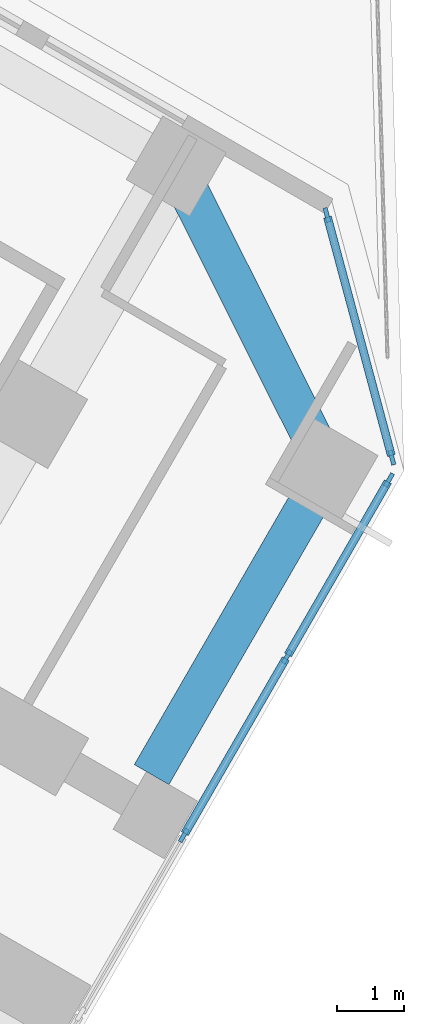
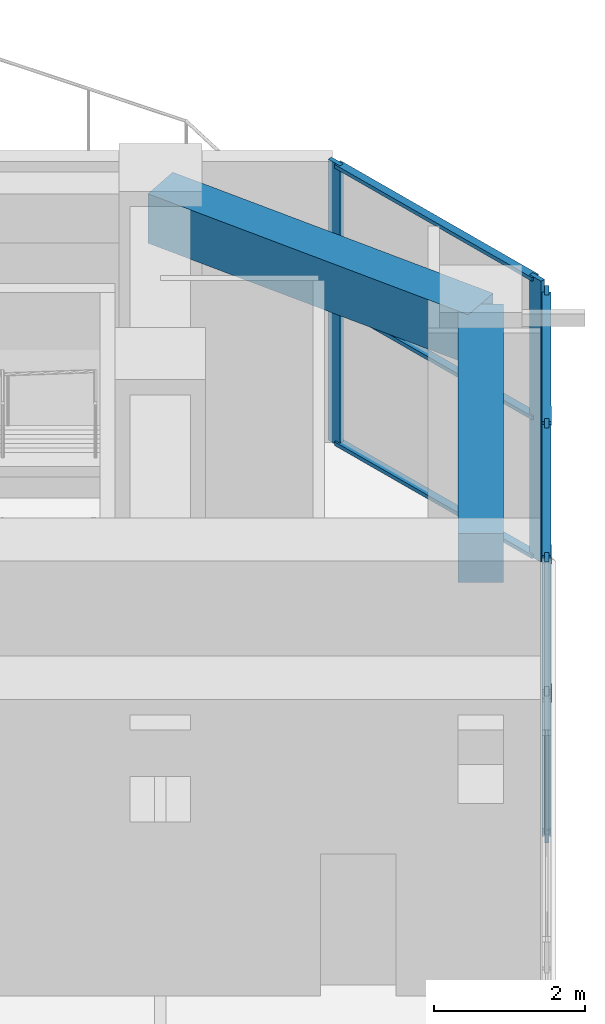
# One storey, part 7 of 18: 14 members, 2 beams, 2 elements without a shape of their own.
"""IFC4 building model written with IfcOpenShell, lengths in metres."""

import ifcopenshell
import ifcopenshell.guid

model = None  # the IFC model being written
_history = None  # IfcOwnerHistory: only IFC2X3 demands one
_inside = {}  # id of a spatial element -> (the spatial element, [elements in it])
_under = {}  # id of a project, library or spatial element -> (it, [spatial elements below it])
_declared = {}  # id of a project -> (the project, [libraries it declares])
_typed = {}  # id of a type object -> (the type object, [elements of that type])
_made_of = {}  # id of a material, layer set ... -> (it, [elements and type objects made of it])


def new_model(schema):
    """Start an empty IFC model of exactly this schema.

    Asked for "IFC4X3", IfcOpenShell would pick the latest addendum, in which some entities
    have other attributes; the version numbers below select the first issue.
    IFC2X3 requires an IfcOwnerHistory on every rooted entity: one is made here for all.
    """
    global model, _history
    if schema == "IFC4X3":
        model = ifcopenshell.file(schema_version=(4, 3, 0, 0))
    else:
        model = ifcopenshell.file(schema=schema)
    _inside.clear()
    _under.clear()
    _declared.clear()
    _typed.clear()
    _made_of.clear()
    _history = None
    if model.schema == "IFC2X3":
        org = make("IfcOrganization", Name="unknown")
        user = make(
            "IfcPersonAndOrganization",
            ThePerson=make("IfcPerson", FamilyName="unknown"),
            TheOrganization=org,
        )
        app = make(
            "IfcApplication",
            ApplicationDeveloper=org,
            Version="unknown",
            ApplicationFullName="unknown",
            ApplicationIdentifier="unknown",
        )
        _history = make(
            "IfcOwnerHistory",
            OwningUser=user,
            OwningApplication=app,
            ChangeAction="ADDED",
            CreationDate=0,
        )
    return model


def make(cls, **values):
    """One entity of the class cls with the attributes given. An attribute that is None is left unset."""
    return model.create_entity(
        cls, **{name: value for name, value in values.items() if value is not None}
    )


def rooted(cls, **values):
    """An entity with a GlobalId (a new one), such as an element, a storey or a relation."""
    return make(cls, GlobalId=ifcopenshell.guid.new(), OwnerHistory=_history, **values)


def si_unit(unit_type, name, prefix=None):
    """IfcSIUnit, for example si_unit("LENGTHUNIT", "METRE", prefix="MILLI")."""
    return make("IfcSIUnit", UnitType=unit_type, Prefix=prefix, Name=name)


def assignment(units):
    """IfcUnitAssignment: the units of a project."""
    return None if units is None else make("IfcUnitAssignment", Units=units)


def point(xyz):
    """IfcCartesianPoint."""
    return None if xyz is None else make("IfcCartesianPoint", Coordinates=xyz)


def direction(xyz):
    """IfcDirection."""
    return None if xyz is None else make("IfcDirection", DirectionRatios=xyz)


def frame(location, z_axis=None, x_axis=None):
    """IfcAxis2Placement3D, a coordinate frame: its origin and axes. An axis left out is left unset."""
    return make(
        "IfcAxis2Placement3D",
        Location=point(location),
        Axis=direction(z_axis),
        RefDirection=direction(x_axis),
    )


def frame_2d(location, x_axis=None):
    """IfcAxis2Placement2D, a coordinate frame in the plane: its origin and x axis."""
    return make(
        "IfcAxis2Placement2D", Location=point(location), RefDirection=direction(x_axis)
    )


def origin():
    """The frame at (0, 0, 0) with its axes left unset."""
    return frame((0.0, 0.0, 0.0))


def origin_2d():
    """The frame at (0, 0) in the plane with its x axis left unset."""
    return frame_2d((0.0, 0.0))


def place(relative_to, where):
    """IfcLocalPlacement: puts the frame where relative to a parent placement (None: the world)."""
    return make(
        "IfcLocalPlacement", PlacementRelTo=relative_to, RelativePlacement=where
    )


def context(
    kind, dimensions, precision=None, world=None, true_north=None, identifier=None
):
    """IfcGeometricRepresentationContext, for example the 3D "Model" context."""
    return make(
        "IfcGeometricRepresentationContext",
        ContextIdentifier=identifier,
        ContextType=kind,
        CoordinateSpaceDimension=dimensions,
        Precision=precision,
        WorldCoordinateSystem=world,
        TrueNorth=true_north,
    )


def subcontext(parent, identifier, kind, view, scale=None):
    """IfcGeometricRepresentationSubContext, for example "Body" below "Model"."""
    return make(
        "IfcGeometricRepresentationSubContext",
        ContextIdentifier=identifier,
        ContextType=kind,
        ParentContext=parent,
        TargetScale=scale,
        TargetView=view,
    )


def project(units=None, contexts=None):
    """IfcProject with its units and contexts."""
    return rooted(
        "IfcProject",
        Name="project",
        RepresentationContexts=contexts,
        UnitsInContext=assignment(units),
    )


def spatial(cls, under=None, at=None, **own):
    """A site, building, storey or space (cls), placed at a placement, below another one or the project."""
    s = rooted(cls, ObjectPlacement=at, **own)
    if under is not None:
        _under.setdefault(under.id(), (under, []))[1].append(s)
    return s


def profile(cls, at=None, kind="AREA", **sizes):
    """A parametric profile (cls). Its sizes go by their IFC names, for example OverallWidth=200.0."""
    return make(cls, ProfileType=kind, Position=at, **sizes)


def rectangle(**sizes):
    """IfcRectangleProfileDef."""
    return profile("IfcRectangleProfileDef", **sizes)


def extrude(swept, where, along, depth):
    """IfcExtrudedAreaSolid: the profile swept, set in the frame where, extruded along a direction by depth."""
    return make(
        "IfcExtrudedAreaSolid",
        SweptArea=swept,
        Position=where,
        ExtrudedDirection=direction(along),
        Depth=depth,
    )


def shape(context_of_items, identifier, shape_type, items):
    """IfcShapeRepresentation: the items that make up one representation, for example the "Body"."""
    return make(
        "IfcShapeRepresentation",
        ContextOfItems=context_of_items,
        RepresentationIdentifier=identifier,
        RepresentationType=shape_type,
        Items=items,
    )


def material(Name=None, Category=None):
    """IfcMaterial."""
    return make("IfcMaterial", Name=Name, Category=Category)


def material_profile(
    of_material, cross_section, Name=None, Category=None, Priority=None
):
    """IfcMaterialProfile: a cross section and its material."""
    return make(
        "IfcMaterialProfile",
        Name=Name,
        Material=of_material,
        Profile=cross_section,
        Priority=Priority,
        Category=Category,
    )


def profile_set(profiles, Name=None, composite=None):
    """IfcMaterialProfileSet."""
    return make(
        "IfcMaterialProfileSet",
        Name=Name,
        MaterialProfiles=profiles,
        CompositeProfile=composite,
    )


def made_of(thing, what):
    """Note that an element or type object is made of a material, layer set ...; save() writes the relation."""
    if what is not None:
        _made_of.setdefault(what.id(), (what, []))[1].append(thing)
    return thing


def type_object(cls, material=None, **own):
    """A type object (cls), such as IfcWallType, which elements share."""
    return made_of(rooted(cls, **own), material)


def element(
    cls,
    number,
    at=None,
    inside=None,
    cuts=None,
    type_object=None,
    material=None,
    context=None,
    identifier="Body",
    shape_type=None,
    held_by="IfcProductDefinitionShape",
    body=None,
    shapes=None,
    **own,
):
    """One element of the class cls, such as IfcWall. Its Tag is "e" and its number.

    at: its placement. inside: the storey or other place that contains it. cuts: it is an
    opening in that element (IfcRelVoidsElement). A single representation is given by context,
    identifier, shape_type and body (its items); several are given by shapes. held_by: the class
    of the entity that holds the representations. save() writes the other relations.
    """
    e = rooted(cls, Tag="e%d" % number, ObjectPlacement=at, **own)
    if body is not None:
        shapes = [shape(context, identifier, shape_type, body)]
    if shapes is not None:
        e.Representation = make(held_by, Representations=shapes)
    if inside is not None:
        _inside.setdefault(inside.id(), (inside, []))[1].append(e)
    if cuts is not None:
        rooted(
            "IfcRelVoidsElement", RelatingBuildingElement=cuts, RelatedOpeningElement=e
        )
    if type_object is not None:
        _typed.setdefault(type_object.id(), (type_object, []))[1].append(e)
    return made_of(e, material)


def aggregate(whole, parts):
    """IfcRelAggregates: a whole, such as a stair, and the parts it consists of."""
    return rooted("IfcRelAggregates", RelatingObject=whole, RelatedObjects=parts)


def save(model, path):
    """Write the relations noted so far, then the file.

    IfcRelAggregates (storeys below a building ...), IfcRelContainedInSpatialStructure (elements
    in a storey), IfcRelDefinesByType, IfcRelAssociatesMaterial and IfcRelDeclares: one each for
    every whole, place, type object, material and project.
    """
    for whole, parts in _under.values():
        aggregate(whole, parts)
    for where, things in _inside.values():
        rooted(
            "IfcRelContainedInSpatialStructure",
            RelatedElements=things,
            RelatingStructure=where,
        )
    for kind, things in _typed.values():
        rooted("IfcRelDefinesByType", RelatedObjects=things, RelatingType=kind)
    for what, things in _made_of.values():
        rooted("IfcRelAssociatesMaterial", RelatedObjects=things, RelatingMaterial=what)
    for by, libraries in _declared.values():
        rooted("IfcRelDeclares", RelatingContext=by, RelatedDefinitions=libraries)
    model.write(path)


model = new_model("IFC4")

# Units and contexts
model_context = context("Model", 3, precision=1e-05, world=origin(), true_north=direction((0.0, 1.0)))
body_context = subcontext(model_context, "Body", "Model", "MODEL_VIEW")
ifc_project = project(units=[si_unit("LENGTHUNIT", "METRE"), si_unit("AREAUNIT", "SQUARE_METRE"), si_unit("VOLUMEUNIT", "CUBIC_METRE"), si_unit("PLANEANGLEUNIT", "RADIAN"), si_unit("MASSUNIT", "GRAM", prefix="KILO")], contexts=[model_context])

# Site, building, storey
site_placement = place(None, origin())
site = spatial("IfcSite", under=ifc_project, at=site_placement, CompositionType="ELEMENT")
building_placement = place(site_placement, origin())
building = spatial("IfcBuilding", under=site, at=building_placement, Name="Kosmar Iwan School Tower", CompositionType="ELEMENT")
storey_placement = place(building_placement, frame((0.0, 0.0, 20.39990234375)))
storey = spatial("IfcBuildingStorey", under=building, at=storey_placement, Name="L04", CompositionType="ELEMENT", Elevation=20.39990234375)

# Curtain wall, members
ifc_material_1 = material(Name="Dark glass in black aluminium frame", Category="aluminium")
curtain_wall_type_1 = type_object("IfcCurtainWallType", Name="Tower curtain wall dark glass", PredefinedType="USERDEFINED", material=ifc_material_1)
curtain_wall_1_placement = place(storey_placement, origin())
curtain_wall_1 = element("IfcCurtainWall", 1, at=curtain_wall_1_placement, inside=storey, type_object=curtain_wall_type_1, Name="Curtain wall L04-F03", ObjectType="UNITISED CURTAIN WALL", PredefinedType="USERDEFINED")
ifc_material_2 = material(Name="Black anodised aluminium", Category="aluminium")
ifc_material_profile_1 = material_profile(ifc_material_2, rectangle(XDim=0.06494140625, YDim=0.219970703125, at=origin_2d()), Name="MULLION 65x220")
ifc_profile_set_1 = profile_set([ifc_material_profile_1], Name="Black anodised aluminium")
member_type_1 = type_object("IfcMemberType", Name="Podium mullion 65x220", PredefinedType="MULLION", material=ifc_profile_set_1)
member_1_placement = place(storey_placement, frame((30.631103515625, -15.8955078125, 0.0), z_axis=(0.0, 0.0, 1.0), x_axis=(-0.866025405329, 0.499999997325, 0.0)))
member_1 = element("IfcMember", 2, at=member_1_placement, type_object=member_type_1, Name="CW1 mullion 4", PredefinedType="MULLION", context=body_context, shape_type="SweptSolid", body=[
    extrude(rectangle(XDim=0.06494140625, YDim=0.219970703125, at=origin_2d()), origin(), (0.0, 0.0, 1.0), 4.550048828125),
])
member_2_placement = place(storey_placement, frame((32.1806640625, -13.21142578125, 0.0), z_axis=(0.0, 0.0, 1.0), x_axis=(-0.866025405329, 0.499999997325, 0.0)))
member_2 = element("IfcMember", 3, at=member_2_placement, type_object=member_type_1, Name="CW1 mullion 5", PredefinedType="MULLION", context=body_context, shape_type="SweptSolid", body=[
    extrude(rectangle(XDim=0.06494140625, YDim=0.219970703125, at=origin_2d()), origin(), (0.0, 0.0, 1.0), 4.550048828125),
])
member_3_placement = place(storey_placement, frame((33.714111328125, -10.555419921875, 0.0), z_axis=(0.0, 0.0, 1.0), x_axis=(-0.866025405329, 0.499999997325, 0.0)))
member_3 = element("IfcMember", 4, at=member_3_placement, type_object=member_type_1, Name="CW1 mullion 6", PredefinedType="MULLION", context=body_context, shape_type="SweptSolid", body=[
    extrude(rectangle(XDim=0.06494140625, YDim=0.219970703125, at=origin_2d()), origin(), (0.0, 0.0, 1.0), 4.550048828125),
])

ifc_material_3 = material(Name="Dark glass in black aluminium frame", Category="aluminium")
curtain_wall_type_2 = type_object("IfcCurtainWallType", Name="Chamfer curtain wall dark glass", PredefinedType="USERDEFINED", material=ifc_material_3)
curtain_wall_2_placement = place(storey_placement, origin())
curtain_wall_2 = element("IfcCurtainWall", 5, at=curtain_wall_2_placement, inside=storey, type_object=curtain_wall_type_2, Name="Curtain wall L04-F04", ObjectType="FACETED CURTAIN WALL", PredefinedType="USERDEFINED")
member_4_placement = place(storey_placement, frame((33.758056640625, -10.22119140625, 0.0), z_axis=(0.0, 0.0, 1.0), x_axis=(-0.965925875495, -0.258818861462, 0.0)))
member_4 = element("IfcMember", 6, at=member_4_placement, type_object=member_type_1, Name="CW2 mullion 1", PredefinedType="MULLION", context=body_context, shape_type="SweptSolid", body=[
    extrude(rectangle(XDim=0.06494140625, YDim=0.219970703125, at=origin_2d()), origin(), (0.0, 0.0, 1.0), 4.550048828125),
])
member_5_placement = place(storey_placement, frame((32.78125, -6.57568359375, 0.0), z_axis=(0.0, 0.0, 1.0), x_axis=(-0.965925875495, -0.258818861462, 0.0)))
member_5 = element("IfcMember", 7, at=member_5_placement, type_object=member_type_1, Name="CW2 mullion 2", PredefinedType="MULLION", context=body_context, shape_type="SweptSolid", body=[
    extrude(rectangle(XDim=0.06494140625, YDim=0.219970703125, at=origin_2d()), origin(), (0.0, 0.0, 1.0), 4.550048828125),
])

# Beams
ifc_material_4 = material(Name="Concrete C50/60", Category="concrete")
ifc_material_profile_2 = material_profile(ifc_material_4, rectangle(XDim=0.60009765625, YDim=0.800048828125, at=origin_2d()), Name="RC 600x800")
ifc_profile_set_2 = profile_set([ifc_material_profile_2], Name="Concrete C50/60")
beam_type = type_object("IfcBeamType", Name="RC tip beam 600x800", PredefinedType="BEAM", material=ifc_profile_set_2)
beam_1_placement = place(storey_placement, frame((30.517822265625, -5.841552734375, 4.150146484375), z_axis=(0.44809604203, -0.893985423325, 0.0), x_axis=(0.893985423325, 0.44809604203, 0.0)))
element("IfcBeam", 8, at=beam_1_placement, inside=storey, type_object=beam_type, Name="Tip beam CL", PredefinedType="BEAM", context=body_context, shape_type="SweptSolid", body=[
    extrude(rectangle(XDim=0.60009765625, YDim=0.800048828125, at=origin_2d()), origin(), (0.0, 0.0, 1.0), 5.08935546875),
])
beam_2_placement = place(storey_placement, frame((32.79833984375, -10.391357421875, 4.150146484375), z_axis=(-0.499973660256, -0.866040610509, 0.0), x_axis=(0.866040610509, -0.499973660256, 0.0)))
element("IfcBeam", 9, at=beam_2_placement, inside=storey, type_object=beam_type, Name="Tip beam CL to corridor wall", PredefinedType="BEAM", context=body_context, shape_type="SweptSolid", body=[
    extrude(rectangle(XDim=0.60009765625, YDim=0.800048828125, at=origin_2d()), origin(), (0.0, 0.0, 1.0), 5.300048828125),
])

# Member
ifc_material_5 = material(Name="Black anodised aluminium", Category="aluminium")
ifc_material_profile_3 = material_profile(ifc_material_5, rectangle(XDim=0.1201171875, YDim=0.06005859375, at=origin_2d()), Name="TRANSOM 60x120")
ifc_profile_set_3 = profile_set([ifc_material_profile_3], Name="Black anodised aluminium")
member_type_2 = type_object("IfcMemberType", Name="Transom 60x120", PredefinedType="USERDEFINED", material=ifc_profile_set_3)
member_6_placement = place(storey_placement, frame((30.647216796875, -15.867431640625, 0.030029296875), z_axis=(0.500024238858, 0.866011409021, 0.0), x_axis=(-0.866011409021, 0.500024238858, 0.0)))
member_6 = element("IfcMember", 10, at=member_6_placement, type_object=member_type_2, Name="CW1 transom 4.1", ObjectType="TRANSOM", PredefinedType="USERDEFINED", context=body_context, shape_type="SweptSolid", body=[
    extrude(rectangle(XDim=0.1201171875, YDim=0.06005859375, at=origin_2d()), origin(), (0.0, 0.0, 1.0), 3.034423828125),
])

member_7_placement = place(storey_placement, frame((30.647216796875, -15.867431640625, 2.275146484375), z_axis=(0.500024238858, 0.866011409021, 0.0), x_axis=(-0.866011409021, 0.500024238858, 0.0)))
member_7 = element("IfcMember", 11, at=member_7_placement, type_object=member_type_2, Name="CW1 transom 4.2", ObjectType="TRANSOM", PredefinedType="USERDEFINED", context=body_context, shape_type="SweptSolid", body=[
    extrude(rectangle(XDim=0.1201171875, YDim=0.06005859375, at=origin_2d()), origin(), (0.0, 0.0, 1.0), 3.034423828125),
])

member_8_placement = place(storey_placement, frame((30.647216796875, -15.867431640625, 4.52001953125), z_axis=(0.500024238858, 0.866011409021, 0.0), x_axis=(-0.866011409021, 0.500024238858, 0.0)))
member_8 = element("IfcMember", 12, at=member_8_placement, type_object=member_type_2, Name="CW1 transom 4.3", ObjectType="TRANSOM", PredefinedType="USERDEFINED", context=body_context, shape_type="SweptSolid", body=[
    extrude(rectangle(XDim=0.1201171875, YDim=0.06005859375, at=origin_2d()), origin(), (0.0, 0.0, 1.0), 3.034423828125),
])

member_9_placement = place(storey_placement, frame((32.197021484375, -13.183349609375, 0.030029296875), z_axis=(0.499961833423, 0.866047438147, 0.0), x_axis=(-0.866047438147, 0.499961833423, 0.0)))
member_9 = element("IfcMember", 13, at=member_9_placement, type_object=member_type_2, Name="CW1 transom 5.1", ObjectType="TRANSOM", PredefinedType="USERDEFINED", context=body_context, shape_type="SweptSolid", body=[
    extrude(rectangle(XDim=0.1201171875, YDim=0.06005859375, at=origin_2d()), origin(), (0.0, 0.0, 1.0), 3.001708984375),
])

member_10_placement = place(storey_placement, frame((32.197021484375, -13.183349609375, 2.275146484375), z_axis=(0.499961833423, 0.866047438147, 0.0), x_axis=(-0.866047438147, 0.499961833423, 0.0)))
member_10 = element("IfcMember", 14, at=member_10_placement, type_object=member_type_2, Name="CW1 transom 5.2", ObjectType="TRANSOM", PredefinedType="USERDEFINED", context=body_context, shape_type="SweptSolid", body=[
    extrude(rectangle(XDim=0.1201171875, YDim=0.06005859375, at=origin_2d()), origin(), (0.0, 0.0, 1.0), 3.001708984375),
])

member_11_placement = place(storey_placement, frame((32.197021484375, -13.183349609375, 4.52001953125), z_axis=(0.499961833423, 0.866047438147, 0.0), x_axis=(-0.866047438147, 0.499961833423, 0.0)))
member_11 = element("IfcMember", 15, at=member_11_placement, type_object=member_type_2, Name="CW1 transom 5.3", ObjectType="TRANSOM", PredefinedType="USERDEFINED", context=body_context, shape_type="SweptSolid", body=[
    extrude(rectangle(XDim=0.1201171875, YDim=0.06005859375, at=origin_2d()), origin(), (0.0, 0.0, 1.0), 3.001708984375),
])

aggregate(curtain_wall_1, [member_1, member_2, member_3, member_6, member_7, member_8, member_9, member_10, member_11])

member_12_placement = place(storey_placement, frame((33.749755859375, -10.189697265625, 0.030029296875), z_axis=(-0.258826018906, 0.965923957637, 0.0), x_axis=(-0.965923957637, -0.258826018906, 0.0)))
member_12 = element("IfcMember", 16, at=member_12_placement, type_object=member_type_2, Name="CW2 transom 1.1", ObjectType="TRANSOM", PredefinedType="USERDEFINED", context=body_context, shape_type="SweptSolid", body=[
    extrude(rectangle(XDim=0.1201171875, YDim=0.06005859375, at=origin_2d()), origin(), (0.0, 0.0, 1.0), 3.708984375),
])

member_13_placement = place(storey_placement, frame((33.749755859375, -10.189697265625, 2.275146484375), z_axis=(-0.258826018906, 0.965923957637, 0.0), x_axis=(-0.965923957637, -0.258826018906, 0.0)))
member_13 = element("IfcMember", 17, at=member_13_placement, type_object=member_type_2, Name="CW2 transom 1.2", ObjectType="TRANSOM", PredefinedType="USERDEFINED", context=body_context, shape_type="SweptSolid", body=[
    extrude(rectangle(XDim=0.1201171875, YDim=0.06005859375, at=origin_2d()), origin(), (0.0, 0.0, 1.0), 3.708984375),
])

member_14_placement = place(storey_placement, frame((33.749755859375, -10.189697265625, 4.52001953125), z_axis=(-0.258826018906, 0.965923957637, 0.0), x_axis=(-0.965923957637, -0.258826018906, 0.0)))
member_14 = element("IfcMember", 18, at=member_14_placement, type_object=member_type_2, Name="CW2 transom 1.3", ObjectType="TRANSOM", PredefinedType="USERDEFINED", context=body_context, shape_type="SweptSolid", body=[
    extrude(rectangle(XDim=0.1201171875, YDim=0.06005859375, at=origin_2d()), origin(), (0.0, 0.0, 1.0), 3.708984375),
])

aggregate(curtain_wall_2, [member_4, member_5, member_12, member_13, member_14])

save(model, "model.ifc")
